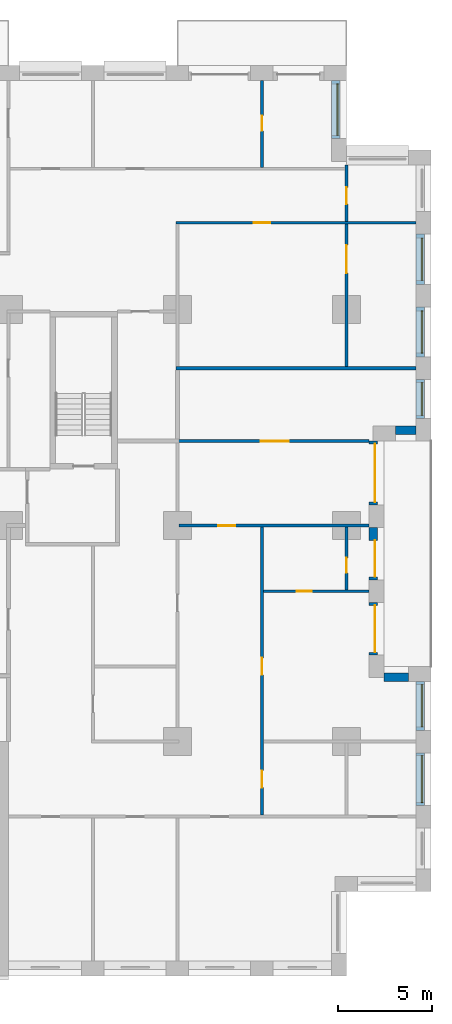
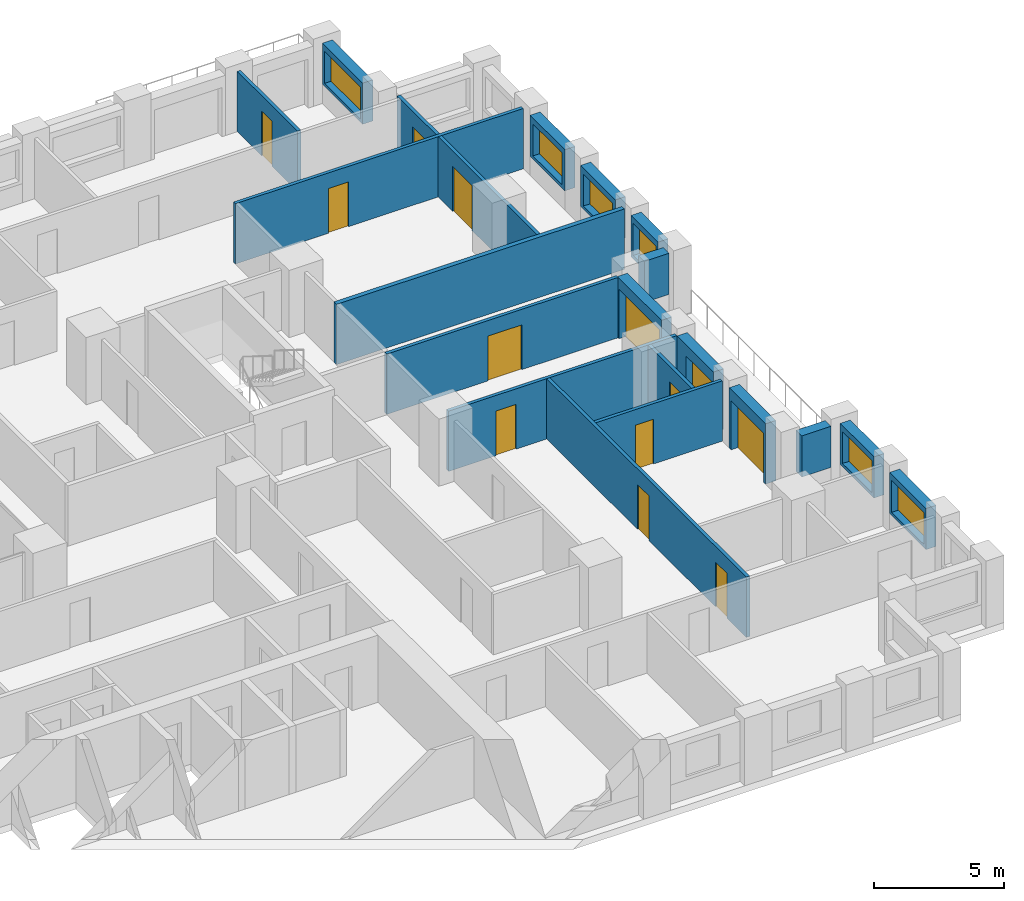
# One storey, part 17 of 20: 21 walls, 13 doors, 6 windows, 19 openings.
"""IFC4 building model written with IfcOpenShell, lengths in metres."""

from ifc_helpers import new_model, si_unit, direction, frame, frame_2d, origin, place, context, subcontext, project, spatial, rectangle, extrude, material, layer, layer_set, type_object, element, fill, save


model = new_model("IFC4")

# Units and contexts
model_context = context("Model", 3, precision=1e-05, world=origin(), true_north=direction((0.0, 1.0)))
body_context = subcontext(model_context, "Body", "Model", "MODEL_VIEW")
ifc_project = project(units=[si_unit("LENGTHUNIT", "METRE"), si_unit("AREAUNIT", "SQUARE_METRE"), si_unit("VOLUMEUNIT", "CUBIC_METRE"), si_unit("PLANEANGLEUNIT", "RADIAN"), si_unit("MASSUNIT", "GRAM", prefix="KILO")], contexts=[model_context])

# Site, building, storey
site_placement = place(None, origin())
site = spatial("IfcSite", under=ifc_project, at=site_placement, CompositionType="ELEMENT")
building_placement = place(site_placement, origin())
building = spatial("IfcBuilding", under=site, at=building_placement, Name="Brigalow Station Residences", CompositionType="ELEMENT")
storey_placement = place(building_placement, frame((0.0, 0.0, 57.300048828125)))
storey = spatial("IfcBuildingStorey", under=building, at=storey_placement, Name="L16", CompositionType="ELEMENT", Elevation=57.300048828125)

# Wall, opening, window
ifc_material_1 = material(Name="Clay brick masonry", Category="masonry")
ifc_layer_1 = layer(ifc_material_1, 0.449951171875)
ifc_layer_set_1 = layer_set([ifc_layer_1], Name="BRICK INFILL WALL 450")
wall_type_1 = type_object("IfcWallType", Name="BRICK INFILL WALL 450", PredefinedType="SOLIDWALL", material=ifc_layer_set_1)
wall_1_placement = place(storey_placement, frame((75.925048828125, 9.10009765625, 0.89990234375), z_axis=(0.0, 0.0, 1.0), x_axis=(0.0, 1.0, 0.0)))
wall_1 = element("IfcWall", 1, at=wall_1_placement, inside=storey, type_object=wall_type_1, Name="L16/ewall/W-L16-12", PredefinedType="SOLIDWALL", context=body_context, shape_type="SweptSolid", body=[
    extrude(rectangle(XDim=2.7998046875, YDim=0.449951171875, at=frame_2d((1.39990234375, 0.0))), origin(), (0.0, 0.0, 1.0), 1.929931640625),
])
opening_1_placement = place(wall_1_placement, frame((0.14990234375, 0.0, 0.14990234375)))
opening_1 = element("IfcOpeningElement", 2, at=opening_1_placement, cuts=wall_1, Name="Opening WT-5", PredefinedType="OPENING", context=body_context, shape_type="SweptSolid", body=[
    extrude(rectangle(XDim=2.5, YDim=1.5, at=frame_2d((1.25, 0.75))), frame((0.0, 0.23486328125, 0.0), z_axis=(0.0, -1.0, 0.0), x_axis=(1.0, 0.0, 0.0)), (0.0, 0.0, 1.0), 0.469970703125),
])
ifc_material_2 = material(Name="Anodised aluminium frame with double glazing", Category="aluminium")
window_type_1 = type_object("IfcWindowType", Name="WINDOW 2500x1500", PartitioningType="SINGLE_PANEL", PredefinedType="WINDOW", material=ifc_material_2)
window_1_placement = place(opening_1_placement, origin())
window_1 = element("IfcWindow", 3, at=window_1_placement, inside=storey, type_object=window_type_1, Name="L16/window/W-L16-12", OverallHeight=1.5, OverallWidth=2.5, PartitioningType="SINGLE_PANEL", PredefinedType="WINDOW", context=body_context, shape_type="SweptSolid", body=[
    extrude(rectangle(XDim=2.5, YDim=1.5, at=frame_2d((1.25, 0.75))), frame((0.0, -0.06494140625, 0.0), z_axis=(0.0, -1.0, 0.0), x_axis=(1.0, 0.0, 0.0)), (0.0, 0.0, 1.0), 0.06005859375),
])
fill(opening_1, window_1)

wall_2_placement = place(storey_placement, frame((75.925048828125, 13.10009765625, 0.89990234375), z_axis=(0.0, 0.0, 1.0), x_axis=(0.0, 1.0, 0.0)))
wall_2 = element("IfcWall", 4, at=wall_2_placement, inside=storey, type_object=wall_type_1, Name="L16/ewall/W-L16-13", PredefinedType="SOLIDWALL", context=body_context, shape_type="SweptSolid", body=[
    extrude(rectangle(XDim=2.599853515625, YDim=0.449951171875, at=frame_2d((1.2998046875, 0.0))), origin(), (0.0, 0.0, 1.0), 1.929931640625),
])
opening_2_placement = place(wall_2_placement, frame((0.175048828125, 0.0, 0.14990234375)))
opening_2 = element("IfcOpeningElement", 5, at=opening_2_placement, cuts=wall_2, Name="Opening WT-6", PredefinedType="OPENING", context=body_context, shape_type="SweptSolid", body=[
    extrude(rectangle(XDim=2.25, YDim=1.5, at=frame_2d((1.125, 0.75))), frame((0.0, 0.23486328125, 0.0), z_axis=(0.0, -1.0, 0.0), x_axis=(1.0, 0.0, 0.0)), (0.0, 0.0, 1.0), 0.469970703125),
])
ifc_material_3 = material(Name="Anodised aluminium frame with double glazing", Category="aluminium")
window_type_2 = type_object("IfcWindowType", Name="WINDOW 2250x1500", PartitioningType="SINGLE_PANEL", PredefinedType="WINDOW", material=ifc_material_3)
window_2_placement = place(opening_2_placement, origin())
window_2 = element("IfcWindow", 6, at=window_2_placement, inside=storey, type_object=window_type_2, Name="L16/window/W-L16-13", OverallHeight=1.5, OverallWidth=2.25, PartitioningType="SINGLE_PANEL", PredefinedType="WINDOW", context=body_context, shape_type="SweptSolid", body=[
    extrude(rectangle(XDim=2.25, YDim=1.5, at=frame_2d((1.125, 0.75))), frame((0.0, -0.06494140625, 0.0), z_axis=(0.0, -1.0, 0.0), x_axis=(1.0, 0.0, 0.0)), (0.0, 0.0, 1.0), 0.06005859375),
])
fill(opening_2, window_2)

# Wall
wall_3_placement = place(storey_placement, frame((75.300048828125, 15.925048828125, 0.89990234375), z_axis=(0.0, 0.0, 1.0), x_axis=(-1.0, 0.0, 0.0)))
element("IfcWall", 7, at=wall_3_placement, inside=storey, type_object=wall_type_1, Name="L16/ewall/W-L16-14", PredefinedType="SOLIDWALL", context=body_context, shape_type="SweptSolid", body=[
    extrude(rectangle(XDim=1.300048828125, YDim=0.449951171875, at=frame_2d((0.64990234375, 0.0))), origin(), (0.0, 0.0, 1.0), 1.929931640625),
])

# Wall, opening, door
wall_4_placement = place(storey_placement, frame((73.425048828125, 17.10009765625, 0.0), z_axis=(0.0, 0.0, 1.0), x_axis=(0.0, 1.0, 0.0)))
wall_4 = element("IfcWall", 8, at=wall_4_placement, inside=storey, type_object=wall_type_1, Name="L16/ewall/W-L16-15", PredefinedType="SOLIDWALL", context=body_context, shape_type="SweptSolid", body=[
    extrude(rectangle(XDim=2.7998046875, YDim=0.449951171875, at=frame_2d((1.39990234375, 0.0))), origin(), (0.0, 0.0, 1.0), 2.829833984375),
])
opening_3_placement = place(wall_4_placement, frame((0.14990234375, 0.0, 0.0)))
opening_3 = element("IfcOpeningElement", 9, at=opening_3_placement, cuts=wall_4, Name="Opening D-B2500", PredefinedType="OPENING", context=body_context, shape_type="SweptSolid", body=[
    extrude(rectangle(XDim=2.5, YDim=2.300048828125, at=frame_2d((1.25, 1.14990234375))), frame((0.0, 0.23486328125, 0.0), z_axis=(0.0, -1.0, 0.0), x_axis=(1.0, 0.0, 0.0)), (0.0, 0.0, 1.0), 0.469970703125),
])
ifc_material_4 = material(Name="Anodised aluminium frame with double glazing", Category="aluminium")
door_type_1 = type_object("IfcDoorType", Name="BALCONY SLIDING DOOR 2500x2300", OperationType="SLIDING_TO_LEFT", PredefinedType="DOOR", material=ifc_material_4)
door_1_placement = place(opening_3_placement, origin())
door_1 = element("IfcDoor", 10, at=door_1_placement, inside=storey, type_object=door_type_1, Name="L16/balcony-door/W-L16-15", OperationType="SLIDING_TO_LEFT", OverallHeight=2.300048828125, OverallWidth=2.5, PredefinedType="DOOR", context=body_context, shape_type="SweptSolid", body=[
    extrude(rectangle(XDim=2.5, YDim=2.300048828125, at=frame_2d((1.25, 1.14990234375))), frame((0.0, -0.06982421875, 0.0), z_axis=(0.0, -1.0, 0.0), x_axis=(1.0, 0.0, 0.0)), (0.0, 0.0, 1.0), 0.050048828125),
])
fill(opening_3, door_1)

wall_5_placement = place(storey_placement, frame((73.425048828125, 21.10009765625, 0.0), z_axis=(0.0, 0.0, 1.0), x_axis=(0.0, 1.0, 0.0)))
wall_5 = element("IfcWall", 11, at=wall_5_placement, inside=storey, type_object=wall_type_1, Name="L16/ewall/W-L16-16", PredefinedType="SOLIDWALL", context=body_context, shape_type="SweptSolid", body=[
    extrude(rectangle(XDim=2.7998046875, YDim=0.449951171875, at=frame_2d((1.39990234375, 0.0))), origin(), (0.0, 0.0, 1.0), 2.829833984375),
])
opening_4_placement = place(wall_5_placement, frame((0.1650390625, 0.0, 0.0)))
opening_4 = element("IfcOpeningElement", 12, at=opening_4_placement, cuts=wall_5, Name="Opening D-B1950", PredefinedType="OPENING", context=body_context, shape_type="SweptSolid", body=[
    extrude(rectangle(XDim=1.949951171875, YDim=2.300048828125, at=frame_2d((0.97509765625, 1.14990234375))), frame((0.0, 0.23486328125, 0.0), z_axis=(0.0, -1.0, 0.0), x_axis=(1.0, 0.0, 0.0)), (0.0, 0.0, 1.0), 0.469970703125),
])
ifc_material_5 = material(Name="Anodised aluminium frame with double glazing", Category="aluminium")
door_type_2 = type_object("IfcDoorType", Name="BALCONY SLIDING DOOR 1950x2300", OperationType="SLIDING_TO_LEFT", PredefinedType="DOOR", material=ifc_material_5)
door_2_placement = place(opening_4_placement, origin())
door_2 = element("IfcDoor", 13, at=door_2_placement, inside=storey, type_object=door_type_2, Name="L16/balcony-door/W-L16-16", OperationType="SLIDING_TO_LEFT", OverallHeight=2.300048828125, OverallWidth=1.949951171875, PredefinedType="DOOR", context=body_context, shape_type="SweptSolid", body=[
    extrude(rectangle(XDim=1.949951171875, YDim=2.300048828125, at=frame_2d((0.97509765625, 1.14990234375))), frame((0.0, -0.06982421875, 0.0), z_axis=(0.0, -1.0, 0.0), x_axis=(1.0, 0.0, 0.0)), (0.0, 0.0, 1.0), 0.050048828125),
])
fill(opening_4, door_2)

wall_6_placement = place(storey_placement, frame((73.425048828125, 25.10009765625, 0.0), z_axis=(0.0, 0.0, 1.0), x_axis=(0.0, 1.0, 0.0)))
wall_6 = element("IfcWall", 14, at=wall_6_placement, inside=storey, type_object=wall_type_1, Name="L16/ewall/W-L16-17", PredefinedType="SOLIDWALL", context=body_context, shape_type="SweptSolid", body=[
    extrude(rectangle(XDim=3.39990234375, YDim=0.449951171875, at=frame_2d((1.699951171875, 0.0))), origin(), (0.0, 0.0, 1.0), 2.829833984375),
])
opening_5_placement = place(wall_6_placement, frame((0.14990234375, 0.0, 0.0)))
opening_5 = element("IfcOpeningElement", 15, at=opening_5_placement, cuts=wall_6, Name="Opening D-B3100", PredefinedType="OPENING", context=body_context, shape_type="SweptSolid", body=[
    extrude(rectangle(XDim=3.10009765625, YDim=2.300048828125, at=frame_2d((1.550048828125, 1.14990234375))), frame((0.0, 0.23486328125, 0.0), z_axis=(0.0, -1.0, 0.0), x_axis=(1.0, 0.0, 0.0)), (0.0, 0.0, 1.0), 0.469970703125),
])
ifc_material_6 = material(Name="Anodised aluminium frame with double glazing", Category="aluminium")
door_type_3 = type_object("IfcDoorType", Name="BALCONY SLIDING DOOR 3100x2300", OperationType="SLIDING_TO_LEFT", PredefinedType="DOOR", material=ifc_material_6)
door_3_placement = place(opening_5_placement, origin())
door_3 = element("IfcDoor", 16, at=door_3_placement, inside=storey, type_object=door_type_3, Name="L16/balcony-door/W-L16-17", OperationType="SLIDING_TO_LEFT", OverallHeight=2.300048828125, OverallWidth=3.10009765625, PredefinedType="DOOR", context=body_context, shape_type="SweptSolid", body=[
    extrude(rectangle(XDim=3.10009765625, YDim=2.300048828125, at=frame_2d((1.550048828125, 1.14990234375))), frame((0.0, -0.06982421875, 0.0), z_axis=(0.0, -1.0, 0.0), x_axis=(1.0, 0.0, 0.0)), (0.0, 0.0, 1.0), 0.050048828125),
])
fill(opening_5, door_3)

# Wall
wall_7_placement = place(storey_placement, frame((74.60009765625, 29.074951171875, 0.89990234375), z_axis=(0.0, 0.0, 1.0), x_axis=(1.0, 0.0, 0.0)))
element("IfcWall", 17, at=wall_7_placement, inside=storey, type_object=wall_type_1, Name="L16/ewall/W-L16-18", PredefinedType="SOLIDWALL", context=body_context, shape_type="SweptSolid", body=[
    extrude(rectangle(XDim=1.099853515625, YDim=0.449951171875, at=frame_2d((0.5498046875, 0.0))), origin(), (0.0, 0.0, 1.0), 1.929931640625),
])

# Wall, opening, window
wall_8_placement = place(storey_placement, frame((75.925048828125, 29.699951171875, 0.89990234375), z_axis=(0.0, 0.0, 1.0), x_axis=(0.0, 1.0, 0.0)))
wall_8 = element("IfcWall", 18, at=wall_8_placement, inside=storey, type_object=wall_type_1, Name="L16/ewall/W-L16-19", PredefinedType="SOLIDWALL", context=body_context, shape_type="SweptSolid", body=[
    extrude(rectangle(XDim=2.074951171875, YDim=0.449951171875, at=frame_2d((1.03759765625, 0.0))), origin(), (0.0, 0.0, 1.0), 1.929931640625),
])
opening_6_placement = place(wall_8_placement, frame((0.16259765625, 0.0, 0.14990234375)))
opening_6 = element("IfcOpeningElement", 19, at=opening_6_placement, cuts=wall_8, Name="Opening WT-4", PredefinedType="OPENING", context=body_context, shape_type="SweptSolid", body=[
    extrude(rectangle(XDim=1.75, YDim=1.5, at=frame_2d((0.875, 0.75))), frame((0.0, 0.23486328125, 0.0), z_axis=(0.0, -1.0, 0.0), x_axis=(1.0, 0.0, 0.0)), (0.0, 0.0, 1.0), 0.469970703125),
])
ifc_material_7 = material(Name="Anodised aluminium frame with double glazing", Category="aluminium")
window_type_3 = type_object("IfcWindowType", Name="WINDOW 1750x1500", PartitioningType="SINGLE_PANEL", PredefinedType="WINDOW", material=ifc_material_7)
window_3_placement = place(opening_6_placement, origin())
window_3 = element("IfcWindow", 20, at=window_3_placement, inside=storey, type_object=window_type_3, Name="L16/window/W-L16-19", OverallHeight=1.5, OverallWidth=1.75, PartitioningType="SINGLE_PANEL", PredefinedType="WINDOW", context=body_context, shape_type="SweptSolid", body=[
    extrude(rectangle(XDim=1.75, YDim=1.5, at=frame_2d((0.875, 0.75))), frame((0.0, -0.06494140625, 0.0), z_axis=(0.0, -1.0, 0.0), x_axis=(1.0, 0.0, 0.0)), (0.0, 0.0, 1.0), 0.06005859375),
])
fill(opening_6, window_3)

wall_9_placement = place(storey_placement, frame((75.925048828125, 32.97509765625, 0.89990234375), z_axis=(0.0, 0.0, 1.0), x_axis=(0.0, 1.0, 0.0)))
wall_9 = element("IfcWall", 21, at=wall_9_placement, inside=storey, type_object=wall_type_1, Name="L16/ewall/W-L16-20", PredefinedType="SOLIDWALL", context=body_context, shape_type="SweptSolid", body=[
    extrude(rectangle(XDim=2.6748046875, YDim=0.449951171875, at=frame_2d((1.33740234375, 0.0))), origin(), (0.0, 0.0, 1.0), 1.929931640625),
])
opening_7_placement = place(wall_9_placement, frame((0.21240234375, 0.0, 0.14990234375)))
opening_7 = element("IfcOpeningElement", 22, at=opening_7_placement, cuts=wall_9, Name="Opening WT-6", PredefinedType="OPENING", context=body_context, shape_type="SweptSolid", body=[
    extrude(rectangle(XDim=2.25, YDim=1.5, at=frame_2d((1.125, 0.75))), frame((0.0, 0.23486328125, 0.0), z_axis=(0.0, -1.0, 0.0), x_axis=(1.0, 0.0, 0.0)), (0.0, 0.0, 1.0), 0.469970703125),
])
window_4_placement = place(opening_7_placement, origin())
window_4 = element("IfcWindow", 23, at=window_4_placement, inside=storey, type_object=window_type_2, Name="L16/window/W-L16-20", OverallHeight=1.5, OverallWidth=2.25, PartitioningType="SINGLE_PANEL", PredefinedType="WINDOW", context=body_context, shape_type="SweptSolid", body=[
    extrude(rectangle(XDim=2.25, YDim=1.5, at=frame_2d((1.125, 0.75))), frame((0.0, -0.06494140625, 0.0), z_axis=(0.0, -1.0, 0.0), x_axis=(1.0, 0.0, 0.0)), (0.0, 0.0, 1.0), 0.06005859375),
])
fill(opening_7, window_4)

wall_10_placement = place(storey_placement, frame((75.925048828125, 36.85009765625, 0.89990234375), z_axis=(0.0, 0.0, 1.0), x_axis=(0.0, 1.0, 0.0)))
wall_10 = element("IfcWall", 24, at=wall_10_placement, inside=storey, type_object=wall_type_1, Name="L16/ewall/W-L16-21", PredefinedType="SOLIDWALL", context=body_context, shape_type="SweptSolid", body=[
    extrude(rectangle(XDim=2.6748046875, YDim=0.449951171875, at=frame_2d((1.33740234375, 0.0))), origin(), (0.0, 0.0, 1.0), 1.929931640625),
])
opening_8_placement = place(wall_10_placement, frame((0.21240234375, 0.0, 0.14990234375)))
opening_8 = element("IfcOpeningElement", 25, at=opening_8_placement, cuts=wall_10, Name="Opening WT-6", PredefinedType="OPENING", context=body_context, shape_type="SweptSolid", body=[
    extrude(rectangle(XDim=2.25, YDim=1.5, at=frame_2d((1.125, 0.75))), frame((0.0, 0.23486328125, 0.0), z_axis=(0.0, -1.0, 0.0), x_axis=(1.0, 0.0, 0.0)), (0.0, 0.0, 1.0), 0.469970703125),
])
window_5_placement = place(opening_8_placement, origin())
window_5 = element("IfcWindow", 26, at=window_5_placement, inside=storey, type_object=window_type_2, Name="L16/window/W-L16-21", OverallHeight=1.5, OverallWidth=2.25, PartitioningType="SINGLE_PANEL", PredefinedType="WINDOW", context=body_context, shape_type="SweptSolid", body=[
    extrude(rectangle(XDim=2.25, YDim=1.5, at=frame_2d((1.125, 0.75))), frame((0.0, -0.06494140625, 0.0), z_axis=(0.0, -1.0, 0.0), x_axis=(1.0, 0.0, 0.0)), (0.0, 0.0, 1.0), 0.06005859375),
])
fill(opening_8, window_5)

wall_11_placement = place(storey_placement, frame((71.425048828125, 44.60009765625, 0.89990234375), z_axis=(0.0, 0.0, 1.0), x_axis=(0.0, 1.0, 0.0)))
wall_11 = element("IfcWall", 27, at=wall_11_placement, inside=storey, type_object=wall_type_1, Name="L16/ewall/W-L16-24", PredefinedType="SOLIDWALL", context=body_context, shape_type="SweptSolid", body=[
    extrude(rectangle(XDim=3.099853515625, YDim=0.449951171875, at=frame_2d((1.5498046875, 0.0))), origin(), (0.0, 0.0, 1.0), 1.929931640625),
])
opening_9_placement = place(wall_11_placement, frame((0.175048828125, 0.0, 0.14990234375)))
opening_9 = element("IfcOpeningElement", 28, at=opening_9_placement, cuts=wall_11, Name="Opening WT-3", PredefinedType="OPENING", context=body_context, shape_type="SweptSolid", body=[
    extrude(rectangle(XDim=2.75, YDim=1.5, at=frame_2d((1.375, 0.75))), frame((0.0, 0.23486328125, 0.0), z_axis=(0.0, -1.0, 0.0), x_axis=(1.0, 0.0, 0.0)), (0.0, 0.0, 1.0), 0.469970703125),
])
ifc_material_8 = material(Name="Anodised aluminium frame with double glazing", Category="aluminium")
window_type_4 = type_object("IfcWindowType", Name="WINDOW 2750x1500", PartitioningType="SINGLE_PANEL", PredefinedType="WINDOW", material=ifc_material_8)
window_6_placement = place(opening_9_placement, origin())
window_6 = element("IfcWindow", 29, at=window_6_placement, inside=storey, type_object=window_type_4, Name="L16/window/W-L16-24", OverallHeight=1.5, OverallWidth=2.75, PartitioningType="SINGLE_PANEL", PredefinedType="WINDOW", context=body_context, shape_type="SweptSolid", body=[
    extrude(rectangle(XDim=2.75, YDim=1.5, at=frame_2d((1.375, 0.75))), frame((0.0, -0.06494140625, 0.0), z_axis=(0.0, -1.0, 0.0), x_axis=(1.0, 0.0, 0.0)), (0.0, 0.0, 1.0), 0.06005859375),
])
fill(opening_9, window_6)

# Wall, opening, door
ifc_material_9 = material(Name="Plasterboard on steel stud partition", Category="steel")
ifc_layer_2 = layer(ifc_material_9, 0.14990234375)
ifc_layer_set_2 = layer_set([ifc_layer_2], Name="FLAT PARTITION 150")
wall_type_2 = type_object("IfcWallType", Name="FLAT PARTITION 150", PredefinedType="PARTITIONING", material=ifc_layer_set_2)
wall_12_placement = place(storey_placement, frame((63.074951171875, 24.0, 0.0), z_axis=(0.0, 0.0, 1.0), x_axis=(1.0, 0.0, 0.0)))
wall_12 = element("IfcWall", 30, at=wall_12_placement, inside=storey, type_object=wall_type_2, Name="PW-1E03", PredefinedType="PARTITIONING", context=body_context, shape_type="SweptSolid", body=[
    extrude(rectangle(XDim=10.125, YDim=0.14990234375, at=frame_2d((5.0625, 0.0))), origin(), (0.0, 0.0, 1.0), 2.829833984375),
])
opening_10_placement = place(wall_12_placement, frame((2.10009765625, 0.0, 0.0)))
opening_10 = element("IfcOpeningElement", 31, at=opening_10_placement, cuts=wall_12, Name="Opening D-1E54", PredefinedType="OPENING", context=body_context, shape_type="SweptSolid", body=[
    extrude(rectangle(XDim=0.89990234375, YDim=2.10009765625, at=frame_2d((0.449951171875, 1.050048828125))), frame((0.0, 0.0849609375, 0.0), z_axis=(0.0, -1.0, 0.0), x_axis=(1.0, 0.0, 0.0)), (0.0, 0.0, 1.0), 0.169921875),
])
ifc_material_10 = material(Name="Solid-core timber door leaf", Category="wood")
door_type_4 = type_object("IfcDoorType", Name="INTERNAL DOOR 900 x 2100", OperationType="SINGLE_SWING_LEFT", PredefinedType="DOOR", material=ifc_material_10)
door_4_placement = place(opening_10_placement, origin())
door_4 = element("IfcDoor", 32, at=door_4_placement, inside=storey, type_object=door_type_4, Name="D-1E54", OperationType="SINGLE_SWING_LEFT", OverallHeight=2.10009765625, OverallWidth=0.89990234375, PredefinedType="DOOR", context=body_context, shape_type="SweptSolid", body=[
    extrude(rectangle(XDim=0.89990234375, YDim=2.10009765625, at=frame_2d((0.449951171875, 1.050048828125))), frame((0.0, 0.02490234375, 0.0), z_axis=(0.0, -1.0, 0.0), x_axis=(1.0, 0.0, 0.0)), (0.0, 0.0, 1.0), 0.050048828125),
])
fill(opening_10, door_4)

wall_13_placement = place(storey_placement, frame((67.574951171875, 20.5, 0.0), z_axis=(0.0, 0.0, 1.0), x_axis=(1.0, 0.0, 0.0)))
wall_13 = element("IfcWall", 33, at=wall_13_placement, inside=storey, type_object=wall_type_2, Name="PW-1E17", PredefinedType="PARTITIONING", context=body_context, shape_type="SweptSolid", body=[
    extrude(rectangle(XDim=5.625, YDim=0.14990234375, at=frame_2d((2.8125, 0.0))), origin(), (0.0, 0.0, 1.0), 2.829833984375),
])
opening_11_placement = place(wall_13_placement, frame((1.77490234375, 0.0, 0.0)))
opening_11 = element("IfcOpeningElement", 34, at=opening_11_placement, cuts=wall_13, Name="Opening D-1E55", PredefinedType="OPENING", context=body_context, shape_type="SweptSolid", body=[
    extrude(rectangle(XDim=0.800048828125, YDim=2.10009765625, at=frame_2d((0.39990234375, 1.050048828125))), frame((0.0, 0.0849609375, 0.0), z_axis=(0.0, -1.0, 0.0), x_axis=(1.0, 0.0, 0.0)), (0.0, 0.0, 1.0), 0.169921875),
])
ifc_material_11 = material(Name="Solid-core timber door leaf", Category="wood")
door_type_5 = type_object("IfcDoorType", Name="INTERNAL DOOR 800 x 2100", OperationType="SINGLE_SWING_LEFT", PredefinedType="DOOR", material=ifc_material_11)
door_5_placement = place(opening_11_placement, origin())
door_5 = element("IfcDoor", 35, at=door_5_placement, inside=storey, type_object=door_type_5, Name="D-1E55", OperationType="SINGLE_SWING_RIGHT", OverallHeight=2.10009765625, OverallWidth=0.800048828125, PredefinedType="DOOR", context=body_context, shape_type="SweptSolid", body=[
    extrude(rectangle(XDim=0.800048828125, YDim=2.10009765625, at=frame_2d((0.39990234375, 1.050048828125))), frame((0.0, 0.02490234375, 0.0), z_axis=(0.0, -1.0, 0.0), x_axis=(1.0, 0.0, 0.0)), (0.0, 0.0, 1.0), 0.050048828125),
])
fill(opening_11, door_5)

wall_14_placement = place(storey_placement, frame((62.925048828125, 28.5, 0.0), z_axis=(0.0, 0.0, 1.0), x_axis=(1.0, 0.0, 0.0)))
wall_14 = element("IfcWall", 36, at=wall_14_placement, inside=storey, type_object=wall_type_2, Name="PW-1E23", PredefinedType="PARTITIONING", context=body_context, shape_type="SweptSolid", body=[
    extrude(rectangle(XDim=10.27490234375, YDim=0.14990234375, at=frame_2d((5.137451171875, 0.0))), origin(), (0.0, 0.0, 1.0), 2.829833984375),
])
opening_12_placement = place(wall_14_placement, frame((4.5, 0.0, 0.0)))
opening_12 = element("IfcOpeningElement", 37, at=opening_12_placement, cuts=wall_14, Name="Opening D-1E53", PredefinedType="OPENING", context=body_context, shape_type="SweptSolid", body=[
    extrude(rectangle(XDim=1.5, YDim=2.10009765625, at=frame_2d((0.75, 1.050048828125))), frame((0.0, 0.0849609375, 0.0), z_axis=(0.0, -1.0, 0.0), x_axis=(1.0, 0.0, 0.0)), (0.0, 0.0, 1.0), 0.169921875),
])
ifc_material_12 = material(Name="Solid-core timber door leaf", Category="wood")
door_type_6 = type_object("IfcDoorType", Name="INTERNAL DOUBLE DOOR 1500 x 2100", OperationType="DOUBLE_DOOR_SINGLE_SWING", PredefinedType="DOOR", material=ifc_material_12)
door_6_placement = place(opening_12_placement, frame((1.5, 0.0, 0.0), z_axis=(0.0, 0.0, 1.0), x_axis=(-1.0, 0.0, 0.0)))
door_6 = element("IfcDoor", 38, at=door_6_placement, inside=storey, type_object=door_type_6, Name="D-1E53", OperationType="DOUBLE_DOOR_SINGLE_SWING", OverallHeight=2.10009765625, OverallWidth=1.5, PredefinedType="DOOR", context=body_context, shape_type="SweptSolid", body=[
    extrude(rectangle(XDim=1.5, YDim=2.10009765625, at=frame_2d((0.75, 1.050048828125))), frame((0.0, 0.02490234375, 0.0), z_axis=(0.0, -1.0, 0.0), x_axis=(1.0, 0.0, 0.0)), (0.0, 0.0, 1.0), 0.050048828125),
])
fill(opening_12, door_6)

wall_15_placement = place(storey_placement, frame((62.925048828125, 40.125, 0.0), z_axis=(0.0, 0.0, 1.0), x_axis=(1.0, 0.0, 0.0)))
wall_15 = element("IfcWall", 39, at=wall_15_placement, inside=storey, type_object=wall_type_2, Name="PW-1E25", PredefinedType="PARTITIONING", context=body_context, shape_type="SweptSolid", body=[
    extrude(rectangle(XDim=12.77490234375, YDim=0.14990234375, at=frame_2d((6.387451171875, 0.0))), origin(), (0.0, 0.0, 1.0), 2.829833984375),
])
opening_13_placement = place(wall_15_placement, frame((4.125, 0.0, 0.0)))
opening_13 = element("IfcOpeningElement", 40, at=opening_13_placement, cuts=wall_15, Name="Opening D-1E41", PredefinedType="OPENING", context=body_context, shape_type="SweptSolid", body=[
    extrude(rectangle(XDim=0.89990234375, YDim=2.10009765625, at=frame_2d((0.449951171875, 1.050048828125))), frame((0.0, 0.0849609375, 0.0), z_axis=(0.0, -1.0, 0.0), x_axis=(1.0, 0.0, 0.0)), (0.0, 0.0, 1.0), 0.169921875),
])
door_7_placement = place(opening_13_placement, frame((0.89990234375, 0.0, 0.0), z_axis=(0.0, 0.0, 1.0), x_axis=(-1.0, 0.0, 0.0)))
door_7 = element("IfcDoor", 41, at=door_7_placement, inside=storey, type_object=door_type_4, Name="D-1E41", OperationType="SINGLE_SWING_RIGHT", OverallHeight=2.10009765625, OverallWidth=0.89990234375, PredefinedType="DOOR", context=body_context, shape_type="SweptSolid", body=[
    extrude(rectangle(XDim=0.89990234375, YDim=2.10009765625, at=frame_2d((0.449951171875, 1.050048828125))), frame((0.0, 0.02490234375, 0.0), z_axis=(0.0, -1.0, 0.0), x_axis=(1.0, 0.0, 0.0)), (0.0, 0.0, 1.0), 0.050048828125),
])
fill(opening_13, door_7)

wall_16_placement = place(storey_placement, frame((72.0, 20.574951171875, 0.0), z_axis=(0.0, 0.0, 1.0), x_axis=(0.0, 1.0, 0.0)))
wall_16 = element("IfcWall", 42, at=wall_16_placement, inside=storey, type_object=wall_type_2, Name="PW-1E73", PredefinedType="PARTITIONING", context=body_context, shape_type="SweptSolid", body=[
    extrude(rectangle(XDim=3.35009765625, YDim=0.14990234375, at=frame_2d((1.675048828125, 0.0))), origin(), (0.0, 0.0, 1.0), 2.829833984375),
])
opening_14_placement = place(wall_16_placement, frame((0.89990234375, 0.0, 0.0)))
opening_14 = element("IfcOpeningElement", 43, at=opening_14_placement, cuts=wall_16, Name="Opening D-1E56", PredefinedType="OPENING", context=body_context, shape_type="SweptSolid", body=[
    extrude(rectangle(XDim=0.800048828125, YDim=2.10009765625, at=frame_2d((0.39990234375, 1.050048828125))), frame((0.0, 0.0849609375, 0.0), z_axis=(0.0, -1.0, 0.0), x_axis=(1.0, 0.0, 0.0)), (0.0, 0.0, 1.0), 0.169921875),
])
door_8_placement = place(opening_14_placement, frame((0.800048828125, 0.0, 0.0), z_axis=(0.0, 0.0, 1.0), x_axis=(-1.0, 0.0, 0.0)))
door_8 = element("IfcDoor", 44, at=door_8_placement, inside=storey, type_object=door_type_5, Name="D-1E56", OperationType="SINGLE_SWING_RIGHT", OverallHeight=2.10009765625, OverallWidth=0.800048828125, PredefinedType="DOOR", context=body_context, shape_type="SweptSolid", body=[
    extrude(rectangle(XDim=0.800048828125, YDim=2.10009765625, at=frame_2d((0.39990234375, 1.050048828125))), frame((0.0, 0.02490234375, 0.0), z_axis=(0.0, -1.0, 0.0), x_axis=(1.0, 0.0, 0.0)), (0.0, 0.0, 1.0), 0.050048828125),
])
fill(opening_14, door_8)

wall_17_placement = place(storey_placement, frame((72.0, 32.47509765625, 0.0), z_axis=(0.0, 0.0, 1.0), x_axis=(0.0, 1.0, 0.0)))
wall_17 = element("IfcWall", 45, at=wall_17_placement, inside=storey, type_object=wall_type_2, Name="PW-1E74", PredefinedType="PARTITIONING", context=body_context, shape_type="SweptSolid", body=[
    extrude(rectangle(XDim=7.574951171875, YDim=0.14990234375, at=frame_2d((3.78759765625, 0.0))), origin(), (0.0, 0.0, 1.0), 2.829833984375),
])
opening_15_placement = place(wall_17_placement, frame((4.962890625, 0.0, 0.0)))
opening_15 = element("IfcOpeningElement", 46, at=opening_15_placement, cuts=wall_17, Name="Opening D-1E49", PredefinedType="OPENING", context=body_context, shape_type="SweptSolid", body=[
    extrude(rectangle(XDim=1.5, YDim=2.10009765625, at=frame_2d((0.75, 1.050048828125))), frame((0.0, 0.0849609375, 0.0), z_axis=(0.0, -1.0, 0.0), x_axis=(1.0, 0.0, 0.0)), (0.0, 0.0, 1.0), 0.169921875),
])
door_9_placement = place(opening_15_placement, frame((1.5, 0.0, 0.0), z_axis=(0.0, 0.0, 1.0), x_axis=(-1.0, 0.0, 0.0)))
door_9 = element("IfcDoor", 47, at=door_9_placement, inside=storey, type_object=door_type_6, Name="D-1E49", OperationType="DOUBLE_DOOR_SINGLE_SWING", OverallHeight=2.10009765625, OverallWidth=1.5, PredefinedType="DOOR", context=body_context, shape_type="SweptSolid", body=[
    extrude(rectangle(XDim=1.5, YDim=2.10009765625, at=frame_2d((0.75, 1.050048828125))), frame((0.0, 0.02490234375, 0.0), z_axis=(0.0, -1.0, 0.0), x_axis=(1.0, 0.0, 0.0)), (0.0, 0.0, 1.0), 0.050048828125),
])
fill(opening_15, door_9)

wall_18_placement = place(storey_placement, frame((72.0, 40.199951171875, 0.0), z_axis=(0.0, 0.0, 1.0), x_axis=(0.0, 1.0, 0.0)))
wall_18 = element("IfcWall", 48, at=wall_18_placement, inside=storey, type_object=wall_type_2, Name="PW-1E75", PredefinedType="PARTITIONING", context=body_context, shape_type="SweptSolid", body=[
    extrude(rectangle(XDim=3.0, YDim=0.14990234375, at=frame_2d((1.5, 0.0))), origin(), (0.0, 0.0, 1.0), 2.829833984375),
])
opening_16_placement = place(wall_18_placement, frame((0.912109375, 0.0, 0.0)))
opening_16 = element("IfcOpeningElement", 49, at=opening_16_placement, cuts=wall_18, Name="Opening D-1E42", PredefinedType="OPENING", context=body_context, shape_type="SweptSolid", body=[
    extrude(rectangle(XDim=0.89990234375, YDim=2.10009765625, at=frame_2d((0.449951171875, 1.050048828125))), frame((0.0, 0.0849609375, 0.0), z_axis=(0.0, -1.0, 0.0), x_axis=(1.0, 0.0, 0.0)), (0.0, 0.0, 1.0), 0.169921875),
])
door_10_placement = place(opening_16_placement, frame((0.89990234375, 0.0, 0.0), z_axis=(0.0, 0.0, 1.0), x_axis=(-1.0, 0.0, 0.0)))
door_10 = element("IfcDoor", 50, at=door_10_placement, inside=storey, type_object=door_type_4, Name="D-1E42", OperationType="SINGLE_SWING_RIGHT", OverallHeight=2.10009765625, OverallWidth=0.89990234375, PredefinedType="DOOR", context=body_context, shape_type="SweptSolid", body=[
    extrude(rectangle(XDim=0.89990234375, YDim=2.10009765625, at=frame_2d((0.449951171875, 1.050048828125))), frame((0.0, 0.02490234375, 0.0), z_axis=(0.0, -1.0, 0.0), x_axis=(1.0, 0.0, 0.0)), (0.0, 0.0, 1.0), 0.050048828125),
])
fill(opening_16, door_10)

# Wall, openings, doors
wall_19_placement = place(storey_placement, frame((67.5, 8.574951171875, 0.0), z_axis=(0.0, 0.0, 1.0), x_axis=(0.0, 1.0, 0.0)))
wall_19 = element("IfcWall", 51, at=wall_19_placement, inside=storey, type_object=wall_type_2, Name="PW-1E80", PredefinedType="PARTITIONING", context=body_context, shape_type="SweptSolid", body=[
    extrude(rectangle(XDim=15.35009765625, YDim=0.14990234375, at=frame_2d((7.675048828125, 0.0))), origin(), (0.0, 0.0, 1.0), 2.829833984375),
])
opening_17_placement = place(wall_19_placement, frame((7.47509765625, 0.0, 0.0)))
opening_17 = element("IfcOpeningElement", 52, at=opening_17_placement, cuts=wall_19, Name="Opening D-1E59", PredefinedType="OPENING", context=body_context, shape_type="SweptSolid", body=[
    extrude(rectangle(XDim=0.89990234375, YDim=2.10009765625, at=frame_2d((0.449951171875, 1.050048828125))), frame((0.0, 0.0849609375, 0.0), z_axis=(0.0, -1.0, 0.0), x_axis=(1.0, 0.0, 0.0)), (0.0, 0.0, 1.0), 0.169921875),
])
opening_18_placement = place(wall_19_placement, frame((1.47509765625, 0.0, 0.0)))
opening_18 = element("IfcOpeningElement", 53, at=opening_18_placement, cuts=wall_19, Name="Opening D-1E60", PredefinedType="OPENING", context=body_context, shape_type="SweptSolid", body=[
    extrude(rectangle(XDim=0.89990234375, YDim=2.10009765625, at=frame_2d((0.449951171875, 1.050048828125))), frame((0.0, 0.0849609375, 0.0), z_axis=(0.0, -1.0, 0.0), x_axis=(1.0, 0.0, 0.0)), (0.0, 0.0, 1.0), 0.169921875),
])
door_11_placement = place(opening_17_placement, frame((0.89990234375, 0.0, 0.0), z_axis=(0.0, 0.0, 1.0), x_axis=(-1.0, 0.0, 0.0)))
door_11 = element("IfcDoor", 54, at=door_11_placement, inside=storey, type_object=door_type_4, Name="D-1E59", OperationType="SINGLE_SWING_RIGHT", OverallHeight=2.10009765625, OverallWidth=0.89990234375, PredefinedType="DOOR", context=body_context, shape_type="SweptSolid", body=[
    extrude(rectangle(XDim=0.89990234375, YDim=2.10009765625, at=frame_2d((0.449951171875, 1.050048828125))), frame((0.0, 0.02490234375, 0.0), z_axis=(0.0, -1.0, 0.0), x_axis=(1.0, 0.0, 0.0)), (0.0, 0.0, 1.0), 0.050048828125),
])
fill(opening_17, door_11)
door_12_placement = place(opening_18_placement, frame((0.89990234375, 0.0, 0.0), z_axis=(0.0, 0.0, 1.0), x_axis=(-1.0, 0.0, 0.0)))
door_12 = element("IfcDoor", 55, at=door_12_placement, inside=storey, type_object=door_type_4, Name="D-1E60", OperationType="SINGLE_SWING_LEFT", OverallHeight=2.10009765625, OverallWidth=0.89990234375, PredefinedType="DOOR", context=body_context, shape_type="SweptSolid", body=[
    extrude(rectangle(XDim=0.89990234375, YDim=2.10009765625, at=frame_2d((0.449951171875, 1.050048828125))), frame((0.0, 0.02490234375, 0.0), z_axis=(0.0, -1.0, 0.0), x_axis=(1.0, 0.0, 0.0)), (0.0, 0.0, 1.0), 0.050048828125),
])
fill(opening_18, door_12)

# Wall, opening, door
wall_20_placement = place(storey_placement, frame((67.5, 43.074951171875, 0.0), z_axis=(0.0, 0.0, 1.0), x_axis=(0.0, 1.0, 0.0)))
wall_20 = element("IfcWall", 56, at=wall_20_placement, inside=storey, type_object=wall_type_2, Name="PW-1E81", PredefinedType="PARTITIONING", context=body_context, shape_type="SweptSolid", body=[
    extrude(rectangle(XDim=4.625, YDim=0.14990234375, at=frame_2d((2.3125, 0.0))), origin(), (0.0, 0.0, 1.0), 2.829833984375),
])
opening_19_placement = place(wall_20_placement, frame((1.949951171875, 0.0, 0.0)))
opening_19 = element("IfcOpeningElement", 57, at=opening_19_placement, cuts=wall_20, Name="Opening D-1E38", PredefinedType="OPENING", context=body_context, shape_type="SweptSolid", body=[
    extrude(rectangle(XDim=0.800048828125, YDim=2.10009765625, at=frame_2d((0.39990234375, 1.050048828125))), frame((0.0, 0.0849609375, 0.0), z_axis=(0.0, -1.0, 0.0), x_axis=(1.0, 0.0, 0.0)), (0.0, 0.0, 1.0), 0.169921875),
])
door_13_placement = place(opening_19_placement, frame((0.800048828125, 0.0, 0.0), z_axis=(0.0, 0.0, 1.0), x_axis=(-1.0, 0.0, 0.0)))
door_13 = element("IfcDoor", 58, at=door_13_placement, inside=storey, type_object=door_type_5, Name="D-1E38", OperationType="SINGLE_SWING_LEFT", OverallHeight=2.10009765625, OverallWidth=0.800048828125, PredefinedType="DOOR", context=body_context, shape_type="SweptSolid", body=[
    extrude(rectangle(XDim=0.800048828125, YDim=2.10009765625, at=frame_2d((0.39990234375, 1.050048828125))), frame((0.0, 0.02490234375, 0.0), z_axis=(0.0, -1.0, 0.0), x_axis=(1.0, 0.0, 0.0)), (0.0, 0.0, 1.0), 0.050048828125),
])
fill(opening_19, door_13)

# Wall
ifc_material_13 = material(Name="Plasterboard on steel stud partition", Category="steel")
ifc_layer_3 = layer(ifc_material_13, 0.199951171875)
ifc_layer_set_3 = layer_set([ifc_layer_3], Name="PARTY AND CORRIDOR WALL 200")
wall_type_3 = type_object("IfcWallType", Name="PARTY AND CORRIDOR WALL 200", PredefinedType="PARTITIONING", material=ifc_layer_set_3)
wall_21_placement = place(storey_placement, frame((62.925048828125, 32.375, 0.0), z_axis=(0.0, 0.0, 1.0), x_axis=(1.0, 0.0, 0.0)))
element("IfcWall", 59, at=wall_21_placement, inside=storey, type_object=wall_type_3, Name="PW-1E21", PredefinedType="PARTITIONING", context=body_context, shape_type="SweptSolid", body=[
    extrude(rectangle(XDim=12.77490234375, YDim=0.199951171875, at=frame_2d((6.387451171875, 0.0))), origin(), (0.0, 0.0, 1.0), 2.829833984375),
])

save(model, "model.ifc")
